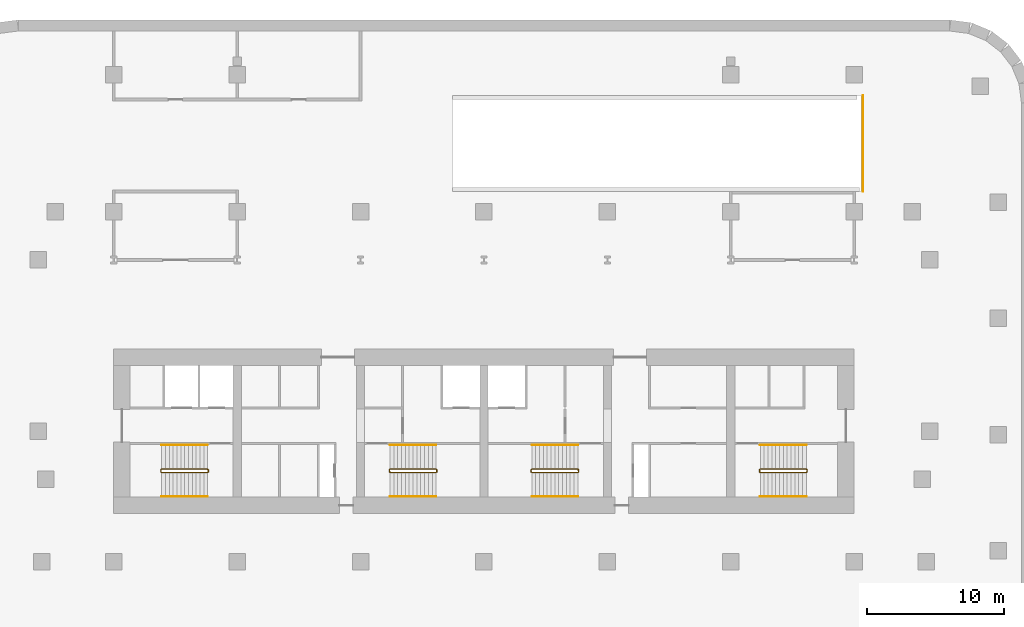
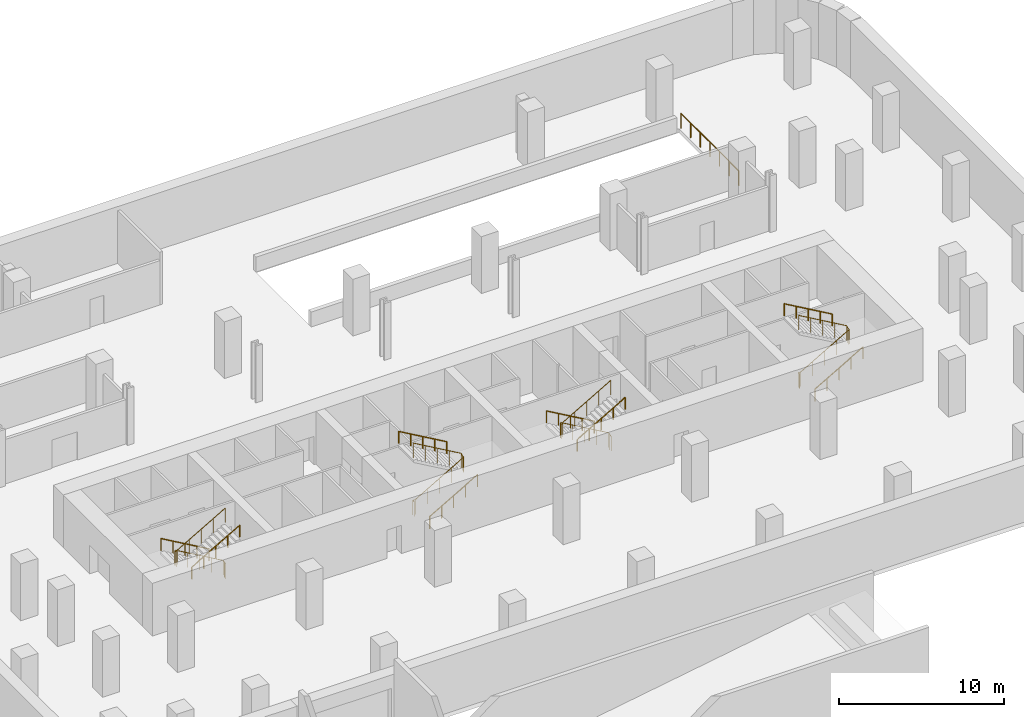
# One storey, part 6 of 6: 13 railings.
"""IFC4 building model written with IfcOpenShell, lengths in metres."""

import ifcopenshell
import ifcopenshell.guid

model = None  # the IFC model being written
_history = None  # IfcOwnerHistory: only IFC2X3 demands one
_inside = {}  # id of a spatial element -> (the spatial element, [elements in it])
_under = {}  # id of a project, library or spatial element -> (it, [spatial elements below it])
_declared = {}  # id of a project -> (the project, [libraries it declares])
_typed = {}  # id of a type object -> (the type object, [elements of that type])
_made_of = {}  # id of a material, layer set ... -> (it, [elements and type objects made of it])


def new_model(schema):
    """Start an empty IFC model of exactly this schema.

    Asked for "IFC4X3", IfcOpenShell would pick the latest addendum, in which some entities
    have other attributes; the version numbers below select the first issue.
    IFC2X3 requires an IfcOwnerHistory on every rooted entity: one is made here for all.
    """
    global model, _history
    if schema == "IFC4X3":
        model = ifcopenshell.file(schema_version=(4, 3, 0, 0))
    else:
        model = ifcopenshell.file(schema=schema)
    _inside.clear()
    _under.clear()
    _declared.clear()
    _typed.clear()
    _made_of.clear()
    _history = None
    if model.schema == "IFC2X3":
        org = make("IfcOrganization", Name="unknown")
        user = make(
            "IfcPersonAndOrganization",
            ThePerson=make("IfcPerson", FamilyName="unknown"),
            TheOrganization=org,
        )
        app = make(
            "IfcApplication",
            ApplicationDeveloper=org,
            Version="unknown",
            ApplicationFullName="unknown",
            ApplicationIdentifier="unknown",
        )
        _history = make(
            "IfcOwnerHistory",
            OwningUser=user,
            OwningApplication=app,
            ChangeAction="ADDED",
            CreationDate=0,
        )
    return model


def make(cls, **values):
    """One entity of the class cls with the attributes given. An attribute that is None is left unset."""
    return model.create_entity(
        cls, **{name: value for name, value in values.items() if value is not None}
    )


def rooted(cls, **values):
    """An entity with a GlobalId (a new one), such as an element, a storey or a relation."""
    return make(cls, GlobalId=ifcopenshell.guid.new(), OwnerHistory=_history, **values)


def si_unit(unit_type, name, prefix=None):
    """IfcSIUnit, for example si_unit("LENGTHUNIT", "METRE", prefix="MILLI")."""
    return make("IfcSIUnit", UnitType=unit_type, Prefix=prefix, Name=name)


def assignment(units):
    """IfcUnitAssignment: the units of a project."""
    return None if units is None else make("IfcUnitAssignment", Units=units)


def point(xyz):
    """IfcCartesianPoint."""
    return None if xyz is None else make("IfcCartesianPoint", Coordinates=xyz)


def direction(xyz):
    """IfcDirection."""
    return None if xyz is None else make("IfcDirection", DirectionRatios=xyz)


def frame(location, z_axis=None, x_axis=None):
    """IfcAxis2Placement3D, a coordinate frame: its origin and axes. An axis left out is left unset."""
    return make(
        "IfcAxis2Placement3D",
        Location=point(location),
        Axis=direction(z_axis),
        RefDirection=direction(x_axis),
    )


def frame_2d(location, x_axis=None):
    """IfcAxis2Placement2D, a coordinate frame in the plane: its origin and x axis."""
    return make(
        "IfcAxis2Placement2D", Location=point(location), RefDirection=direction(x_axis)
    )


def origin():
    """The frame at (0, 0, 0) with its axes left unset."""
    return frame((0.0, 0.0, 0.0))


def origin_2d():
    """The frame at (0, 0) in the plane with its x axis left unset."""
    return frame_2d((0.0, 0.0))


def place(relative_to, where):
    """IfcLocalPlacement: puts the frame where relative to a parent placement (None: the world)."""
    return make(
        "IfcLocalPlacement", PlacementRelTo=relative_to, RelativePlacement=where
    )


def context(
    kind, dimensions, precision=None, world=None, true_north=None, identifier=None
):
    """IfcGeometricRepresentationContext, for example the 3D "Model" context."""
    return make(
        "IfcGeometricRepresentationContext",
        ContextIdentifier=identifier,
        ContextType=kind,
        CoordinateSpaceDimension=dimensions,
        Precision=precision,
        WorldCoordinateSystem=world,
        TrueNorth=true_north,
    )


def subcontext(parent, identifier, kind, view, scale=None):
    """IfcGeometricRepresentationSubContext, for example "Body" below "Model"."""
    return make(
        "IfcGeometricRepresentationSubContext",
        ContextIdentifier=identifier,
        ContextType=kind,
        ParentContext=parent,
        TargetScale=scale,
        TargetView=view,
    )


def project(units=None, contexts=None):
    """IfcProject with its units and contexts."""
    return rooted(
        "IfcProject",
        Name="project",
        RepresentationContexts=contexts,
        UnitsInContext=assignment(units),
    )


def spatial(cls, under=None, at=None, **own):
    """A site, building, storey or space (cls), placed at a placement, below another one or the project."""
    s = rooted(cls, ObjectPlacement=at, **own)
    if under is not None:
        _under.setdefault(under.id(), (under, []))[1].append(s)
    return s


def profile(cls, at=None, kind="AREA", **sizes):
    """A parametric profile (cls). Its sizes go by their IFC names, for example OverallWidth=200.0."""
    return make(cls, ProfileType=kind, Position=at, **sizes)


def circle(**sizes):
    """IfcCircleProfileDef."""
    return profile("IfcCircleProfileDef", **sizes)


def extrude(swept, where, along, depth):
    """IfcExtrudedAreaSolid: the profile swept, set in the frame where, extruded along a direction by depth."""
    return make(
        "IfcExtrudedAreaSolid",
        SweptArea=swept,
        Position=where,
        ExtrudedDirection=direction(along),
        Depth=depth,
    )


def shape(context_of_items, identifier, shape_type, items):
    """IfcShapeRepresentation: the items that make up one representation, for example the "Body"."""
    return make(
        "IfcShapeRepresentation",
        ContextOfItems=context_of_items,
        RepresentationIdentifier=identifier,
        RepresentationType=shape_type,
        Items=items,
    )


def material(Name=None, Category=None):
    """IfcMaterial."""
    return make("IfcMaterial", Name=Name, Category=Category)


def made_of(thing, what):
    """Note that an element or type object is made of a material, layer set ...; save() writes the relation."""
    if what is not None:
        _made_of.setdefault(what.id(), (what, []))[1].append(thing)
    return thing


def type_object(cls, material=None, **own):
    """A type object (cls), such as IfcWallType, which elements share."""
    return made_of(rooted(cls, **own), material)


def element(
    cls,
    number,
    at=None,
    inside=None,
    cuts=None,
    type_object=None,
    material=None,
    context=None,
    identifier="Body",
    shape_type=None,
    held_by="IfcProductDefinitionShape",
    body=None,
    shapes=None,
    **own,
):
    """One element of the class cls, such as IfcWall. Its Tag is "e" and its number.

    at: its placement. inside: the storey or other place that contains it. cuts: it is an
    opening in that element (IfcRelVoidsElement). A single representation is given by context,
    identifier, shape_type and body (its items); several are given by shapes. held_by: the class
    of the entity that holds the representations. save() writes the other relations.
    """
    e = rooted(cls, Tag="e%d" % number, ObjectPlacement=at, **own)
    if body is not None:
        shapes = [shape(context, identifier, shape_type, body)]
    if shapes is not None:
        e.Representation = make(held_by, Representations=shapes)
    if inside is not None:
        _inside.setdefault(inside.id(), (inside, []))[1].append(e)
    if cuts is not None:
        rooted(
            "IfcRelVoidsElement", RelatingBuildingElement=cuts, RelatedOpeningElement=e
        )
    if type_object is not None:
        _typed.setdefault(type_object.id(), (type_object, []))[1].append(e)
    return made_of(e, material)


def aggregate(whole, parts):
    """IfcRelAggregates: a whole, such as a stair, and the parts it consists of."""
    return rooted("IfcRelAggregates", RelatingObject=whole, RelatedObjects=parts)


def save(model, path):
    """Write the relations noted so far, then the file.

    IfcRelAggregates (storeys below a building ...), IfcRelContainedInSpatialStructure (elements
    in a storey), IfcRelDefinesByType, IfcRelAssociatesMaterial and IfcRelDeclares: one each for
    every whole, place, type object, material and project.
    """
    for whole, parts in _under.values():
        aggregate(whole, parts)
    for where, things in _inside.values():
        rooted(
            "IfcRelContainedInSpatialStructure",
            RelatedElements=things,
            RelatingStructure=where,
        )
    for kind, things in _typed.values():
        rooted("IfcRelDefinesByType", RelatedObjects=things, RelatingType=kind)
    for what, things in _made_of.values():
        rooted("IfcRelAssociatesMaterial", RelatedObjects=things, RelatingMaterial=what)
    for by, libraries in _declared.values():
        rooted("IfcRelDeclares", RelatingContext=by, RelatedDefinitions=libraries)
    model.write(path)


model = new_model("IFC4")

# Units and contexts
model_context = context("Model", 3, precision=1e-05, world=origin(), true_north=direction((0.0, 1.0)))
body_context = subcontext(model_context, "Body", "Model", "MODEL_VIEW")
ifc_project = project(units=[si_unit("LENGTHUNIT", "METRE"), si_unit("AREAUNIT", "SQUARE_METRE"), si_unit("VOLUMEUNIT", "CUBIC_METRE"), si_unit("PLANEANGLEUNIT", "RADIAN"), si_unit("MASSUNIT", "GRAM", prefix="KILO")], contexts=[model_context])

# Site, building, storey
site_placement = place(None, origin())
site = spatial("IfcSite", under=ifc_project, at=site_placement, CompositionType="ELEMENT")
building_placement = place(site_placement, origin())
building = spatial("IfcBuilding", under=site, at=building_placement, Name="Zellij Exchange Tower", CompositionType="ELEMENT")
storey_placement = place(building_placement, frame((0.0, 0.0, -4.199951171875)))
storey = spatial("IfcBuildingStorey", under=building, at=storey_placement, Name="B1", CompositionType="ELEMENT", Elevation=-4.199951171875)

# Railings
ifc_material_1 = material(Name="Steel ASTM A500 Gr C", Category="steel")
railing_type_1 = type_object("IfcRailingType", Name="BSM-Guard 1100", PredefinedType="GUARDRAIL", material=ifc_material_1)
railing_1_placement = place(storey_placement, frame((27.64990234375, 9.5, 0.0)))
element("IfcRailing", 1, at=railing_1_placement, inside=storey, type_object=railing_type_1, Name="bsm.B1.grd.R2.east", PredefinedType="GUARDRAIL", context=body_context, shape_type="SweptSolid", body=[
    extrude(circle(Radius=0.02392578125, at=origin_2d()), frame((0.0, 0.0, 1.076171875), z_axis=(0.0, 1.0, 0.0), x_axis=(-1.0, 0.0, 0.0)), (0.0, 0.0, 1.0), 7.0),
    extrude(circle(Radius=0.02099609375, at=origin_2d()), origin(), (0.0, 0.0, 1.0), 1.052001953125),
    extrude(circle(Radius=0.02099609375, at=origin_2d()), frame((0.0, 1.166748046875, 0.0)), (0.0, 0.0, 1.0), 1.052001953125),
    extrude(circle(Radius=0.02099609375, at=origin_2d()), frame((0.0, 2.333251953125, 0.0)), (0.0, 0.0, 1.0), 1.052001953125),
    extrude(circle(Radius=0.02099609375, at=origin_2d()), frame((0.0, 3.5, 0.0)), (0.0, 0.0, 1.0), 1.052001953125),
    extrude(circle(Radius=0.02099609375, at=origin_2d()), frame((0.0, 4.666748046875, 0.0)), (0.0, 0.0, 1.0), 1.052001953125),
    extrude(circle(Radius=0.02099609375, at=origin_2d()), frame((0.0, 5.833251953125, 0.0)), (0.0, 0.0, 1.0), 1.052001953125),
    extrude(circle(Radius=0.02099609375, at=origin_2d()), frame((0.0, 7.0, 0.0)), (0.0, 0.0, 1.0), 1.052001953125),
])
ifc_material_2 = material(Name="Stainless steel", Category="steel")
railing_type_2 = type_object("IfcRailingType", Name="CORE-RG stair guard", PredefinedType="GUARDRAIL", material=ifc_material_2)
railing_2_placement = place(storey_placement, frame((-20.10009765625, -10.800048828125, 0.0)))
element("IfcRailing", 2, at=railing_2_placement, inside=storey, type_object=railing_type_2, Name="ST1 stair guard B1", PredefinedType="GUARDRAIL", context=body_context, shape_type="SweptSolid", body=[
    extrude(circle(Radius=0.02392578125, at=origin_2d()), frame((0.0, 0.0, 1.076171875), z_axis=(0.0, -1.0, 0.0), x_axis=(1.0, 0.0, 0.0)), (0.0, 0.0, 1.0), 0.14990234375),
    extrude(circle(Radius=0.02392578125, at=origin_2d()), frame((0.0, -0.14990234375, 1.076171875), z_axis=(-0.19028906928, 0.763954645788, 0.616573896051), x_axis=(-0.970351222016, -0.241699205484, 0.0)), (0.0, 0.0, 1.0), 0.26171875),
    extrude(circle(Radius=0.02392578125, at=origin_2d()), frame((-0.0498046875, 0.050048828125, 1.2373046875), z_axis=(-0.866190824863, 0.0, 0.499713372768), x_axis=(0.0, -1.0, 0.0)), (0.0, 0.0, 1.0), 3.879150390625),
    extrude(circle(Radius=0.02392578125, at=origin_2d()), frame((-3.409912109375, 0.050048828125, 3.17578125), z_axis=(-0.707106781187, -0.707106781187, 0.0), x_axis=(0.707106781187, -0.707106781187, 0.0)), (0.0, 0.0, 1.0), 0.07080078125),
    extrude(circle(Radius=0.02392578125, at=origin_2d()), frame((-3.4599609375, 0.0, 3.17578125), z_axis=(0.0, -1.0, 0.0), x_axis=(1.0, 0.0, 0.0)), (0.0, 0.0, 1.0), 0.14990234375),
    extrude(circle(Radius=0.02392578125, at=origin_2d()), frame((-3.4599609375, -0.14990234375, 3.17578125), z_axis=(0.283658853137, -0.283658853137, 0.916010540373), x_axis=(0.707106781187, 0.707106781187, 0.0)), (0.0, 0.0, 1.0), 0.176513671875),
    extrude(circle(Radius=0.02392578125, at=origin_2d()), frame((-3.409912109375, -0.199951171875, 3.33740234375), z_axis=(0.866190824863, 0.0, 0.499713372768), x_axis=(0.0, 1.0, 0.0)), (0.0, 0.0, 1.0), 3.879150390625),
    extrude(circle(Radius=0.02099609375, at=origin_2d()), origin(), (0.0, 0.0, 1.0), 1.052001953125),
    extrude(circle(Radius=0.02099609375, at=origin_2d()), frame((0.0, -0.14990234375, 0.0)), (0.0, 0.0, 1.0), 1.052001953125),
    extrude(circle(Radius=0.02099609375, at=origin_2d()), frame((-0.0498046875, 0.050048828125, 0.161376953125)), (0.0, 0.0, 1.0), 1.052001953125),
    extrude(circle(Radius=0.02099609375, at=origin_2d()), frame((-0.889892578125, 0.050048828125, 0.64599609375)), (0.0, 0.0, 1.0), 1.052001953125),
    extrude(circle(Radius=0.02099609375, at=origin_2d()), frame((-1.72998046875, 0.050048828125, 1.130615234375)), (0.0, 0.0, 1.0), 1.052001953125),
    extrude(circle(Radius=0.02099609375, at=origin_2d()), frame((-2.56982421875, 0.050048828125, 1.615234375)), (0.0, 0.0, 1.0), 1.052001953125),
    extrude(circle(Radius=0.02099609375, at=origin_2d()), frame((-3.409912109375, 0.050048828125, 2.099853515625)), (0.0, 0.0, 1.0), 1.052001953125),
    extrude(circle(Radius=0.02099609375, at=origin_2d()), frame((-3.4599609375, 0.0, 2.099853515625)), (0.0, 0.0, 1.0), 1.052001953125),
    extrude(circle(Radius=0.02099609375, at=origin_2d()), frame((-3.4599609375, -0.14990234375, 2.099853515625)), (0.0, 0.0, 1.0), 1.052001953125),
    extrude(circle(Radius=0.02099609375, at=origin_2d()), frame((-3.409912109375, -0.199951171875, 2.261474609375)), (0.0, 0.0, 1.0), 1.052001953125),
    extrude(circle(Radius=0.02099609375, at=origin_2d()), frame((-2.56982421875, -0.199951171875, 2.74609375)), (0.0, 0.0, 1.0), 1.052001953125),
    extrude(circle(Radius=0.02099609375, at=origin_2d()), frame((-1.72998046875, -0.199951171875, 3.230712890625)), (0.0, 0.0, 1.0), 1.052001953125),
    extrude(circle(Radius=0.02099609375, at=origin_2d()), frame((-0.889892578125, -0.199951171875, 3.71533203125)), (0.0, 0.0, 1.0), 1.052001953125),
    extrude(circle(Radius=0.02099609375, at=origin_2d()), frame((-0.0498046875, -0.199951171875, 4.199951171875)), (0.0, 0.0, 1.0), 1.052001953125),
])
railing_3_placement = place(storey_placement, frame((-6.89990234375, -10.949951171875, 0.0)))
element("IfcRailing", 3, at=railing_3_placement, inside=storey, type_object=railing_type_2, Name="ST2 stair guard B1", PredefinedType="GUARDRAIL", context=body_context, shape_type="SweptSolid", body=[
    extrude(circle(Radius=0.02392578125, at=origin_2d()), frame((0.0, 0.0, 1.076171875), z_axis=(0.0, 1.0, 0.0), x_axis=(-1.0, 0.0, 0.0)), (0.0, 0.0, 1.0), 0.14990234375),
    extrude(circle(Radius=0.02392578125, at=origin_2d()), frame((0.0, 0.14990234375, 1.076171875), z_axis=(0.19028906928, -0.763954645788, 0.616573896051), x_axis=(0.970351222016, 0.241699205484, 0.0)), (0.0, 0.0, 1.0), 0.26171875),
    extrude(circle(Radius=0.02392578125, at=origin_2d()), frame((0.0498046875, -0.050048828125, 1.2373046875), z_axis=(0.866190824863, 0.0, 0.499713372768), x_axis=(0.0, 1.0, 0.0)), (0.0, 0.0, 1.0), 3.879150390625),
    extrude(circle(Radius=0.02392578125, at=origin_2d()), frame((3.409912109375, -0.050048828125, 3.17578125), z_axis=(0.707106781187, 0.707106781187, 0.0), x_axis=(-0.707106781187, 0.707106781187, 0.0)), (0.0, 0.0, 1.0), 0.07080078125),
    extrude(circle(Radius=0.02392578125, at=origin_2d()), frame((3.4599609375, 0.0, 3.17578125), z_axis=(0.0, 1.0, 0.0), x_axis=(-1.0, 0.0, 0.0)), (0.0, 0.0, 1.0), 0.14990234375),
    extrude(circle(Radius=0.02392578125, at=origin_2d()), frame((3.4599609375, 0.14990234375, 3.17578125), z_axis=(-0.283658853137, 0.283658853137, 0.916010540373), x_axis=(-0.707106781187, -0.707106781187, 0.0)), (0.0, 0.0, 1.0), 0.176513671875),
    extrude(circle(Radius=0.02392578125, at=origin_2d()), frame((3.409912109375, 0.199951171875, 3.33740234375), z_axis=(-0.866190824863, 0.0, 0.499713372768), x_axis=(0.0, -1.0, 0.0)), (0.0, 0.0, 1.0), 3.879150390625),
    extrude(circle(Radius=0.02099609375, at=origin_2d()), origin(), (0.0, 0.0, 1.0), 1.052001953125),
    extrude(circle(Radius=0.02099609375, at=origin_2d()), frame((0.0, 0.14990234375, 0.0)), (0.0, 0.0, 1.0), 1.052001953125),
    extrude(circle(Radius=0.02099609375, at=origin_2d()), frame((0.0498046875, -0.050048828125, 0.161376953125)), (0.0, 0.0, 1.0), 1.052001953125),
    extrude(circle(Radius=0.02099609375, at=origin_2d()), frame((0.889892578125, -0.050048828125, 0.64599609375)), (0.0, 0.0, 1.0), 1.052001953125),
    extrude(circle(Radius=0.02099609375, at=origin_2d()), frame((1.72998046875, -0.050048828125, 1.130615234375)), (0.0, 0.0, 1.0), 1.052001953125),
    extrude(circle(Radius=0.02099609375, at=origin_2d()), frame((2.56982421875, -0.050048828125, 1.615234375)), (0.0, 0.0, 1.0), 1.052001953125),
    extrude(circle(Radius=0.02099609375, at=origin_2d()), frame((3.409912109375, -0.050048828125, 2.099853515625)), (0.0, 0.0, 1.0), 1.052001953125),
    extrude(circle(Radius=0.02099609375, at=origin_2d()), frame((3.4599609375, 0.0, 2.099853515625)), (0.0, 0.0, 1.0), 1.052001953125),
    extrude(circle(Radius=0.02099609375, at=origin_2d()), frame((3.4599609375, 0.14990234375, 2.099853515625)), (0.0, 0.0, 1.0), 1.052001953125),
    extrude(circle(Radius=0.02099609375, at=origin_2d()), frame((3.409912109375, 0.199951171875, 2.261474609375)), (0.0, 0.0, 1.0), 1.052001953125),
    extrude(circle(Radius=0.02099609375, at=origin_2d()), frame((2.56982421875, 0.199951171875, 2.74609375)), (0.0, 0.0, 1.0), 1.052001953125),
    extrude(circle(Radius=0.02099609375, at=origin_2d()), frame((1.72998046875, 0.199951171875, 3.230712890625)), (0.0, 0.0, 1.0), 1.052001953125),
    extrude(circle(Radius=0.02099609375, at=origin_2d()), frame((0.889892578125, 0.199951171875, 3.71533203125)), (0.0, 0.0, 1.0), 1.052001953125),
    extrude(circle(Radius=0.02099609375, at=origin_2d()), frame((0.0498046875, 0.199951171875, 4.199951171875)), (0.0, 0.0, 1.0), 1.052001953125),
])
railing_4_placement = place(storey_placement, frame((6.89990234375, -10.800048828125, 0.0)))
element("IfcRailing", 4, at=railing_4_placement, inside=storey, type_object=railing_type_2, Name="ST3 stair guard B1", PredefinedType="GUARDRAIL", context=body_context, shape_type="SweptSolid", body=[
    extrude(circle(Radius=0.02392578125, at=origin_2d()), frame((0.0, 0.0, 1.076171875), z_axis=(0.0, -1.0, 0.0), x_axis=(1.0, 0.0, 0.0)), (0.0, 0.0, 1.0), 0.14990234375),
    extrude(circle(Radius=0.02392578125, at=origin_2d()), frame((0.0, -0.14990234375, 1.076171875), z_axis=(-0.19028906928, 0.763954645788, 0.616573896051), x_axis=(-0.970351222016, -0.241699205484, 0.0)), (0.0, 0.0, 1.0), 0.26171875),
    extrude(circle(Radius=0.02392578125, at=origin_2d()), frame((-0.0498046875, 0.050048828125, 1.2373046875), z_axis=(-0.866190824863, 0.0, 0.499713372768), x_axis=(0.0, -1.0, 0.0)), (0.0, 0.0, 1.0), 3.879150390625),
    extrude(circle(Radius=0.02392578125, at=origin_2d()), frame((-3.409912109375, 0.050048828125, 3.17578125), z_axis=(-0.707106781187, -0.707106781187, 0.0), x_axis=(0.707106781187, -0.707106781187, 0.0)), (0.0, 0.0, 1.0), 0.07080078125),
    extrude(circle(Radius=0.02392578125, at=origin_2d()), frame((-3.4599609375, 0.0, 3.17578125), z_axis=(0.0, -1.0, 0.0), x_axis=(1.0, 0.0, 0.0)), (0.0, 0.0, 1.0), 0.14990234375),
    extrude(circle(Radius=0.02392578125, at=origin_2d()), frame((-3.4599609375, -0.14990234375, 3.17578125), z_axis=(0.283658853137, -0.283658853137, 0.916010540373), x_axis=(0.707106781187, 0.707106781187, 0.0)), (0.0, 0.0, 1.0), 0.176513671875),
    extrude(circle(Radius=0.02392578125, at=origin_2d()), frame((-3.409912109375, -0.199951171875, 3.33740234375), z_axis=(0.866190824863, 0.0, 0.499713372768), x_axis=(0.0, 1.0, 0.0)), (0.0, 0.0, 1.0), 3.879150390625),
    extrude(circle(Radius=0.02099609375, at=origin_2d()), origin(), (0.0, 0.0, 1.0), 1.052001953125),
    extrude(circle(Radius=0.02099609375, at=origin_2d()), frame((0.0, -0.14990234375, 0.0)), (0.0, 0.0, 1.0), 1.052001953125),
    extrude(circle(Radius=0.02099609375, at=origin_2d()), frame((-0.0498046875, 0.050048828125, 0.161376953125)), (0.0, 0.0, 1.0), 1.052001953125),
    extrude(circle(Radius=0.02099609375, at=origin_2d()), frame((-0.889892578125, 0.050048828125, 0.64599609375)), (0.0, 0.0, 1.0), 1.052001953125),
    extrude(circle(Radius=0.02099609375, at=origin_2d()), frame((-1.72998046875, 0.050048828125, 1.130615234375)), (0.0, 0.0, 1.0), 1.052001953125),
    extrude(circle(Radius=0.02099609375, at=origin_2d()), frame((-2.56982421875, 0.050048828125, 1.615234375)), (0.0, 0.0, 1.0), 1.052001953125),
    extrude(circle(Radius=0.02099609375, at=origin_2d()), frame((-3.409912109375, 0.050048828125, 2.099853515625)), (0.0, 0.0, 1.0), 1.052001953125),
    extrude(circle(Radius=0.02099609375, at=origin_2d()), frame((-3.4599609375, 0.0, 2.099853515625)), (0.0, 0.0, 1.0), 1.052001953125),
    extrude(circle(Radius=0.02099609375, at=origin_2d()), frame((-3.4599609375, -0.14990234375, 2.099853515625)), (0.0, 0.0, 1.0), 1.052001953125),
    extrude(circle(Radius=0.02099609375, at=origin_2d()), frame((-3.409912109375, -0.199951171875, 2.261474609375)), (0.0, 0.0, 1.0), 1.052001953125),
    extrude(circle(Radius=0.02099609375, at=origin_2d()), frame((-2.56982421875, -0.199951171875, 2.74609375)), (0.0, 0.0, 1.0), 1.052001953125),
    extrude(circle(Radius=0.02099609375, at=origin_2d()), frame((-1.72998046875, -0.199951171875, 3.230712890625)), (0.0, 0.0, 1.0), 1.052001953125),
    extrude(circle(Radius=0.02099609375, at=origin_2d()), frame((-0.889892578125, -0.199951171875, 3.71533203125)), (0.0, 0.0, 1.0), 1.052001953125),
    extrude(circle(Radius=0.02099609375, at=origin_2d()), frame((-0.0498046875, -0.199951171875, 4.199951171875)), (0.0, 0.0, 1.0), 1.052001953125),
])
railing_5_placement = place(storey_placement, frame((20.10009765625, -10.949951171875, 0.0)))
element("IfcRailing", 5, at=railing_5_placement, inside=storey, type_object=railing_type_2, Name="ST4 stair guard B1", PredefinedType="GUARDRAIL", context=body_context, shape_type="SweptSolid", body=[
    extrude(circle(Radius=0.02392578125, at=origin_2d()), frame((0.0, 0.0, 1.076171875), z_axis=(0.0, 1.0, 0.0), x_axis=(-1.0, 0.0, 0.0)), (0.0, 0.0, 1.0), 0.14990234375),
    extrude(circle(Radius=0.02392578125, at=origin_2d()), frame((0.0, 0.14990234375, 1.076171875), z_axis=(0.19028906928, -0.763954645788, 0.616573896051), x_axis=(0.970351222016, 0.241699205484, 0.0)), (0.0, 0.0, 1.0), 0.26171875),
    extrude(circle(Radius=0.02392578125, at=origin_2d()), frame((0.0498046875, -0.050048828125, 1.2373046875), z_axis=(0.866190824863, 0.0, 0.499713372768), x_axis=(0.0, 1.0, 0.0)), (0.0, 0.0, 1.0), 3.879150390625),
    extrude(circle(Radius=0.02392578125, at=origin_2d()), frame((3.409912109375, -0.050048828125, 3.17578125), z_axis=(0.707106781187, 0.707106781187, 0.0), x_axis=(-0.707106781187, 0.707106781187, 0.0)), (0.0, 0.0, 1.0), 0.07080078125),
    extrude(circle(Radius=0.02392578125, at=origin_2d()), frame((3.4599609375, 0.0, 3.17578125), z_axis=(0.0, 1.0, 0.0), x_axis=(-1.0, 0.0, 0.0)), (0.0, 0.0, 1.0), 0.14990234375),
    extrude(circle(Radius=0.02392578125, at=origin_2d()), frame((3.4599609375, 0.14990234375, 3.17578125), z_axis=(-0.283658853137, 0.283658853137, 0.916010540373), x_axis=(-0.707106781187, -0.707106781187, 0.0)), (0.0, 0.0, 1.0), 0.176513671875),
    extrude(circle(Radius=0.02392578125, at=origin_2d()), frame((3.409912109375, 0.199951171875, 3.33740234375), z_axis=(-0.866190824863, 0.0, 0.499713372768), x_axis=(0.0, -1.0, 0.0)), (0.0, 0.0, 1.0), 3.879150390625),
    extrude(circle(Radius=0.02099609375, at=origin_2d()), origin(), (0.0, 0.0, 1.0), 1.052001953125),
    extrude(circle(Radius=0.02099609375, at=origin_2d()), frame((0.0, 0.14990234375, 0.0)), (0.0, 0.0, 1.0), 1.052001953125),
    extrude(circle(Radius=0.02099609375, at=origin_2d()), frame((0.0498046875, -0.050048828125, 0.161376953125)), (0.0, 0.0, 1.0), 1.052001953125),
    extrude(circle(Radius=0.02099609375, at=origin_2d()), frame((0.889892578125, -0.050048828125, 0.64599609375)), (0.0, 0.0, 1.0), 1.052001953125),
    extrude(circle(Radius=0.02099609375, at=origin_2d()), frame((1.72998046875, -0.050048828125, 1.130615234375)), (0.0, 0.0, 1.0), 1.052001953125),
    extrude(circle(Radius=0.02099609375, at=origin_2d()), frame((2.56982421875, -0.050048828125, 1.615234375)), (0.0, 0.0, 1.0), 1.052001953125),
    extrude(circle(Radius=0.02099609375, at=origin_2d()), frame((3.409912109375, -0.050048828125, 2.099853515625)), (0.0, 0.0, 1.0), 1.052001953125),
    extrude(circle(Radius=0.02099609375, at=origin_2d()), frame((3.4599609375, 0.0, 2.099853515625)), (0.0, 0.0, 1.0), 1.052001953125),
    extrude(circle(Radius=0.02099609375, at=origin_2d()), frame((3.4599609375, 0.14990234375, 2.099853515625)), (0.0, 0.0, 1.0), 1.052001953125),
    extrude(circle(Radius=0.02099609375, at=origin_2d()), frame((3.409912109375, 0.199951171875, 2.261474609375)), (0.0, 0.0, 1.0), 1.052001953125),
    extrude(circle(Radius=0.02099609375, at=origin_2d()), frame((2.56982421875, 0.199951171875, 2.74609375)), (0.0, 0.0, 1.0), 1.052001953125),
    extrude(circle(Radius=0.02099609375, at=origin_2d()), frame((1.72998046875, 0.199951171875, 3.230712890625)), (0.0, 0.0, 1.0), 1.052001953125),
    extrude(circle(Radius=0.02099609375, at=origin_2d()), frame((0.889892578125, 0.199951171875, 3.71533203125)), (0.0, 0.0, 1.0), 1.052001953125),
    extrude(circle(Radius=0.02099609375, at=origin_2d()), frame((0.0498046875, 0.199951171875, 4.199951171875)), (0.0, 0.0, 1.0), 1.052001953125),
])
railing_type_3 = type_object("IfcRailingType", Name="CORE-RH stair handrail", PredefinedType="HANDRAIL", material=ifc_material_2)
railing_6_placement = place(storey_placement, frame((-20.14990234375, -9.0, 0.161376953125)))
element("IfcRailing", 6, at=railing_6_placement, inside=storey, type_object=railing_type_3, Name="ST1 stair handrail B1", PredefinedType="HANDRAIL", context=body_context, shape_type="SweptSolid", body=[
    extrude(circle(Radius=0.02392578125, at=origin_2d()), frame((0.0, 0.0, 0.8759765625), z_axis=(-0.866190824863, 0.0, 0.499713372768), x_axis=(0.0, -1.0, 0.0)), (0.0, 0.0, 1.0), 3.879150390625),
    extrude(circle(Radius=0.02099609375, at=origin_2d()), origin(), (0.0, 0.0, 1.0), 0.851806640625),
    extrude(circle(Radius=0.02099609375, at=origin_2d()), frame((-0.840087890625, 0.0, 0.484619140625)), (0.0, 0.0, 1.0), 0.851806640625),
    extrude(circle(Radius=0.02099609375, at=origin_2d()), frame((-1.68017578125, 0.0, 0.96923828125)), (0.0, 0.0, 1.0), 0.851806640625),
    extrude(circle(Radius=0.02099609375, at=origin_2d()), frame((-2.52001953125, 0.0, 1.453857421875)), (0.0, 0.0, 1.0), 0.851806640625),
    extrude(circle(Radius=0.02099609375, at=origin_2d()), frame((-3.360107421875, 0.0, 1.9384765625)), (0.0, 0.0, 1.0), 0.851806640625),
])
for number, where, name in (
    (7, (-23.510009765625, -12.75, 2.261474609375), "ST1 stair handrail B1"),
    (8, (-6.85009765625, -12.75, 0.161376953125), "ST2 stair handrail B1"),
):
    element("IfcRailing", number, at=place(storey_placement, frame(where)), inside=storey, type_object=railing_type_3, Name=name, PredefinedType="HANDRAIL", context=body_context, shape_type="SweptSolid", body=[
        extrude(circle(Radius=0.02392578125, at=origin_2d()), frame((0.0, 0.0, 0.8759765625), z_axis=(0.866190824863, 0.0, 0.499713372768), x_axis=(0.0, 1.0, 0.0)), (0.0, 0.0, 1.0), 3.879150390625),
        extrude(circle(Radius=0.02099609375, at=origin_2d()), origin(), (0.0, 0.0, 1.0), 0.851806640625),
        extrude(circle(Radius=0.02099609375, at=origin_2d()), frame((0.840087890625, 0.0, 0.484619140625)), (0.0, 0.0, 1.0), 0.851806640625),
        extrude(circle(Radius=0.02099609375, at=origin_2d()), frame((1.68017578125, 0.0, 0.96923828125)), (0.0, 0.0, 1.0), 0.851806640625),
        extrude(circle(Radius=0.02099609375, at=origin_2d()), frame((2.52001953125, 0.0, 1.453857421875)), (0.0, 0.0, 1.0), 0.851806640625),
        extrude(circle(Radius=0.02099609375, at=origin_2d()), frame((3.360107421875, 0.0, 1.9384765625)), (0.0, 0.0, 1.0), 0.851806640625),
    ])
for number, where, name in (
    (9, (-3.489990234375, -9.0, 2.261474609375), "ST2 stair handrail B1"),
    (10, (6.85009765625, -9.0, 0.161376953125), "ST3 stair handrail B1"),
):
    element("IfcRailing", number, at=place(storey_placement, frame(where)), inside=storey, type_object=railing_type_3, Name=name, PredefinedType="HANDRAIL", context=body_context, shape_type="SweptSolid", body=[
        extrude(circle(Radius=0.02392578125, at=origin_2d()), frame((0.0, 0.0, 0.8759765625), z_axis=(-0.866190824863, 0.0, 0.499713372768), x_axis=(0.0, -1.0, 0.0)), (0.0, 0.0, 1.0), 3.879150390625),
        extrude(circle(Radius=0.02099609375, at=origin_2d()), origin(), (0.0, 0.0, 1.0), 0.851806640625),
        extrude(circle(Radius=0.02099609375, at=origin_2d()), frame((-0.840087890625, 0.0, 0.484619140625)), (0.0, 0.0, 1.0), 0.851806640625),
        extrude(circle(Radius=0.02099609375, at=origin_2d()), frame((-1.68017578125, 0.0, 0.96923828125)), (0.0, 0.0, 1.0), 0.851806640625),
        extrude(circle(Radius=0.02099609375, at=origin_2d()), frame((-2.52001953125, 0.0, 1.453857421875)), (0.0, 0.0, 1.0), 0.851806640625),
        extrude(circle(Radius=0.02099609375, at=origin_2d()), frame((-3.360107421875, 0.0, 1.9384765625)), (0.0, 0.0, 1.0), 0.851806640625),
    ])
for number, where, name in (
    (11, (3.489990234375, -12.75, 2.261474609375), "ST3 stair handrail B1"),
    (12, (20.14990234375, -12.75, 0.161376953125), "ST4 stair handrail B1"),
):
    element("IfcRailing", number, at=place(storey_placement, frame(where)), inside=storey, type_object=railing_type_3, Name=name, PredefinedType="HANDRAIL", context=body_context, shape_type="SweptSolid", body=[
        extrude(circle(Radius=0.02392578125, at=origin_2d()), frame((0.0, 0.0, 0.8759765625), z_axis=(0.866190824863, 0.0, 0.499713372768), x_axis=(0.0, 1.0, 0.0)), (0.0, 0.0, 1.0), 3.879150390625),
        extrude(circle(Radius=0.02099609375, at=origin_2d()), origin(), (0.0, 0.0, 1.0), 0.851806640625),
        extrude(circle(Radius=0.02099609375, at=origin_2d()), frame((0.840087890625, 0.0, 0.484619140625)), (0.0, 0.0, 1.0), 0.851806640625),
        extrude(circle(Radius=0.02099609375, at=origin_2d()), frame((1.68017578125, 0.0, 0.96923828125)), (0.0, 0.0, 1.0), 0.851806640625),
        extrude(circle(Radius=0.02099609375, at=origin_2d()), frame((2.52001953125, 0.0, 1.453857421875)), (0.0, 0.0, 1.0), 0.851806640625),
        extrude(circle(Radius=0.02099609375, at=origin_2d()), frame((3.360107421875, 0.0, 1.9384765625)), (0.0, 0.0, 1.0), 0.851806640625),
    ])
railing_7_placement = place(storey_placement, frame((23.510009765625, -9.0, 2.261474609375)))
element("IfcRailing", 13, at=railing_7_placement, inside=storey, type_object=railing_type_3, Name="ST4 stair handrail B1", PredefinedType="HANDRAIL", context=body_context, shape_type="SweptSolid", body=[
    extrude(circle(Radius=0.02392578125, at=origin_2d()), frame((0.0, 0.0, 0.8759765625), z_axis=(-0.866190824863, 0.0, 0.499713372768), x_axis=(0.0, -1.0, 0.0)), (0.0, 0.0, 1.0), 3.879150390625),
    extrude(circle(Radius=0.02099609375, at=origin_2d()), origin(), (0.0, 0.0, 1.0), 0.851806640625),
    extrude(circle(Radius=0.02099609375, at=origin_2d()), frame((-0.840087890625, 0.0, 0.484619140625)), (0.0, 0.0, 1.0), 0.851806640625),
    extrude(circle(Radius=0.02099609375, at=origin_2d()), frame((-1.68017578125, 0.0, 0.96923828125)), (0.0, 0.0, 1.0), 0.851806640625),
    extrude(circle(Radius=0.02099609375, at=origin_2d()), frame((-2.52001953125, 0.0, 1.453857421875)), (0.0, 0.0, 1.0), 0.851806640625),
    extrude(circle(Radius=0.02099609375, at=origin_2d()), frame((-3.360107421875, 0.0, 1.9384765625)), (0.0, 0.0, 1.0), 0.851806640625),
])

save(model, "model.ifc")
